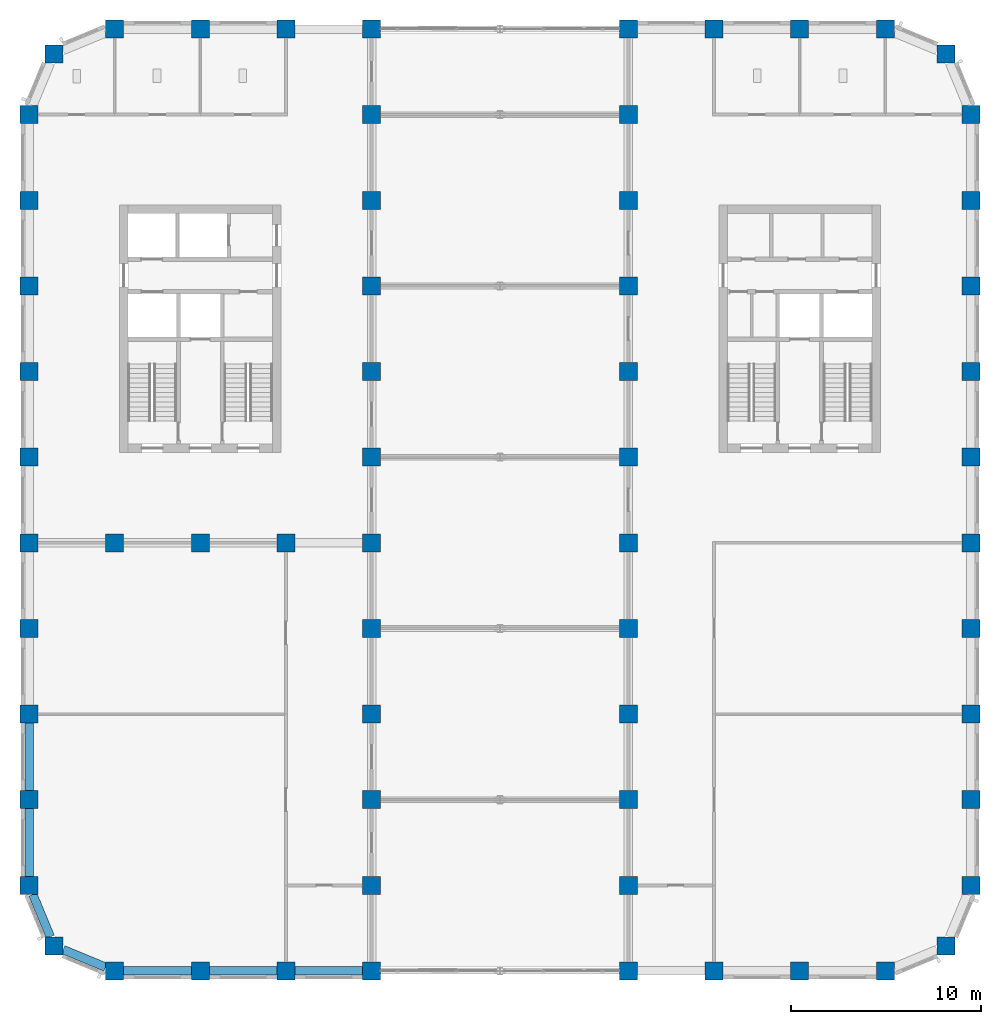
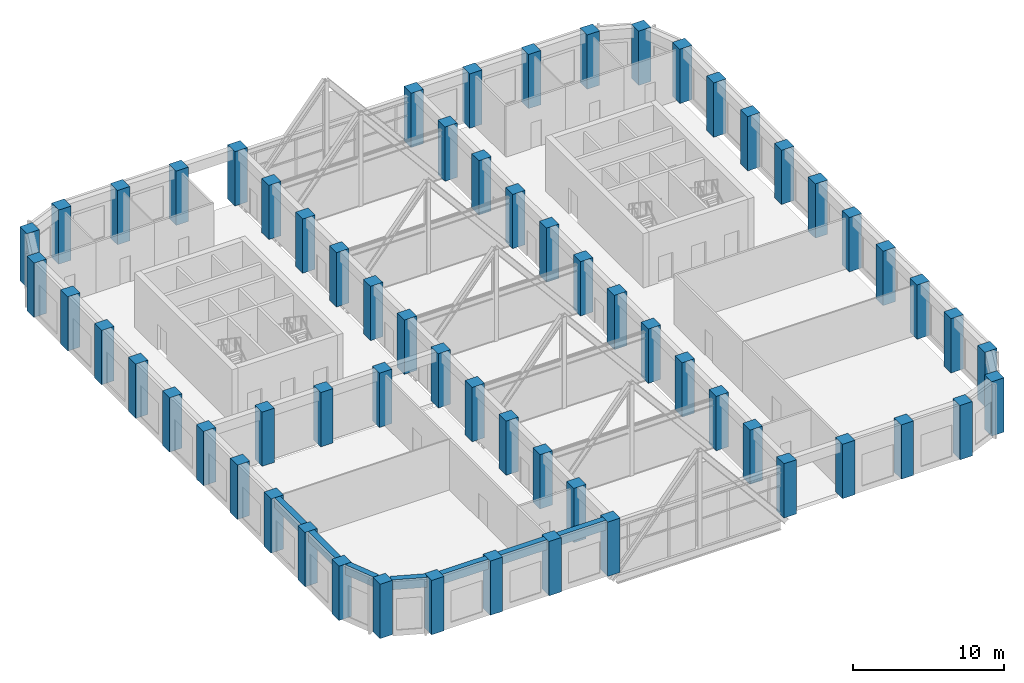
# One storey, part 1 of 15: 63 columns, 7 beams.
"""IFC4 building model written with IfcOpenShell, lengths in metres."""

from ifc_helpers import new_model, si_unit, direction, frame, origin, origin_2d, place, context, subcontext, project, spatial, rectangle, extrude, material, material_profile, profile_set, type_object, element, save


model = new_model("IFC4")

# Units and contexts
model_context = context("Model", 3, precision=1e-05, world=origin(), true_north=direction((0.0, 1.0)))
body_context = subcontext(model_context, "Body", "Model", "MODEL_VIEW")
ifc_project = project(units=[si_unit("LENGTHUNIT", "METRE"), si_unit("AREAUNIT", "SQUARE_METRE"), si_unit("VOLUMEUNIT", "CUBIC_METRE"), si_unit("PLANEANGLEUNIT", "RADIAN"), si_unit("MASSUNIT", "GRAM", prefix="KILO")], contexts=[model_context])

# Site, building, storey
site_placement = place(None, origin())
site = spatial("IfcSite", under=ifc_project, at=site_placement, CompositionType="ELEMENT")
building_placement = place(site_placement, origin())
building = spatial("IfcBuilding", under=site, at=building_placement, Name="Girih Gate Residences", CompositionType="ELEMENT")
storey_placement = place(building_placement, frame((0.0, 0.0, 168.199951171875)))
storey = spatial("IfcBuildingStorey", under=building, at=storey_placement, Name="L46", CompositionType="ELEMENT", Elevation=168.199951171875)

# Columns
ifc_material_1 = material(Name="Concrete C70/85", Category="concrete")
ifc_material_profile_1 = material_profile(ifc_material_1, rectangle(XDim=0.949951171875, YDim=0.949951171875, at=origin_2d()))
ifc_profile_set_1 = profile_set([ifc_material_profile_1], Name="Concrete C70/85")
column_type = type_object("IfcColumnType", Name="Pier RC 950x950 Concrete C70/85", PredefinedType="COLUMN", material=ifc_profile_set_1)
for number, where, z_axis, x_axis, name in (
    (1, (4.5, 0.0, 0.0), (0.0, 0.0, 1.0), (1.0, 0.0, 0.0), "Pier P2A L46"),
    (2, (9.0, 0.0, 0.0), (0.0, 0.0, 1.0), (1.0, 0.0, 0.0), "Pier P3A L46"),
    (3, (13.5, 0.0, 0.0), (0.0, 0.0, 1.0), (1.0, 0.0, 0.0), "Pier P4A L46"),
    (4, (18.0, 0.0, 0.0), (0.0, 0.0, 1.0), (1.0, 0.0, 0.0), "Pier P5A L46"),
    (5, (31.5, 0.0, 0.0), (0.0, 0.0, 1.0), (1.0, 0.0, 0.0), "Pier P8A L46"),
    (6, (36.0, 0.0, 0.0), (0.0, 0.0, 1.0), (1.0, 0.0, 0.0), "Pier P9A L46"),
    (7, (40.5, 0.0, 0.0), (0.0, 0.0, 1.0), (1.0, 0.0, 0.0), "Pier P10A L46"),
    (8, (45.0, 0.0, 0.0), (0.0, 0.0, 1.0), (1.0, 0.0, 0.0), "Pier P11A L46"),
    (9, (1.318115234375, 1.318115234375, 0.0), (0.0, 0.0, 1.0), (1.0, 0.0, 0.0), "Pier P1ANE L46"),
    (10, (48.181884765625, 1.318115234375, 0.0), (0.0, 0.0, 1.0), (1.0, 0.0, 0.0), "Pier P12ANW L46"),
    (11, (0.0, 4.5, 0.0), (0.0, 0.0, 1.0), (1.0, 0.0, 0.0), "Pier P1B L46"),
    (12, (18.0, 4.5, 0.0), (0.0, 0.0, 1.0), (1.0, 0.0, 0.0), "Pier P5B L46"),
    (13, (31.5, 4.5, 0.0), (0.0, 0.0, 1.0), (1.0, 0.0, 0.0), "Pier P8B L46"),
    (14, (49.5, 4.5, 0.0), (0.0, 0.0, 1.0), (1.0, 0.0, 0.0), "Pier P12B L46"),
    (15, (0.0, 9.0, 0.0), (0.0, 0.0, 1.0), (1.0, 0.0, 0.0), "Pier P1C L46"),
    (16, (18.0, 9.0, 0.0), (0.0, 0.0, 1.0), (1.0, 0.0, 0.0), "Pier P5C L46"),
    (17, (31.5, 9.0, 0.0), (0.0, 0.0, 1.0), (1.0, 0.0, 0.0), "Pier P8C L46"),
    (18, (49.5, 9.0, 0.0), (0.0, 0.0, 1.0), (1.0, 0.0, 0.0), "Pier P12C L46"),
    (19, (0.0, 13.5, 0.0), (0.0, 0.0, 1.0), (1.0, 0.0, 0.0), "Pier P1D L46"),
    (20, (18.0, 13.5, 0.0), (0.0, 0.0, 1.0), (1.0, 0.0, 0.0), "Pier P5D L46"),
    (21, (31.5, 13.5, 0.0), (0.0, 0.0, 1.0), (1.0, 0.0, 0.0), "Pier P8D L46"),
    (22, (49.5, 13.5, 0.0), (0.0, 0.0, 1.0), (1.0, 0.0, 0.0), "Pier P12D L46"),
    (23, (0.0, 18.0, 0.0), (0.0, 0.0, 1.0), (1.0, 0.0, 0.0), "Pier P1E L46"),
    (24, (18.0, 18.0, 0.0), (0.0, 0.0, 1.0), (1.0, 0.0, 0.0), "Pier P5E L46"),
    (25, (31.5, 18.0, 0.0), (0.0, 0.0, 1.0), (1.0, 0.0, 0.0), "Pier P8E L46"),
    (26, (49.5, 18.0, 0.0), (0.0, 0.0, 1.0), (1.0, 0.0, 0.0), "Pier P12E L46"),
    (27, (0.0, 22.5, 0.0), (0.0, 0.0, 1.0), (1.0, 0.0, 0.0), "Pier P1F L46"),
    (28, (4.5, 22.5, 0.0), (0.0, 0.0, 1.0), (1.0, 0.0, 0.0), "Pier P2F L46"),
    (29, (9.0, 22.5, 0.0), (0.0, 0.0, 1.0), (1.0, 0.0, 0.0), "Pier P3F L46"),
    (30, (13.5, 22.5, 0.0), (0.0, 0.0, 1.0), (1.0, 0.0, 0.0), "Pier P4F L46"),
    (31, (18.0, 22.5, 0.0), (0.0, 0.0, 1.0), (1.0, 0.0, 0.0), "Pier P5F L46"),
    (32, (31.5, 22.5, 0.0), (0.0, 0.0, 1.0), (1.0, 0.0, 0.0), "Pier P8F L46"),
    (33, (49.5, 22.5, 0.0), (0.0, 0.0, 1.0), (1.0, 0.0, 0.0), "Pier P12F L46"),
    (34, (0.0, 27.0, 0.0), (0.0, 0.0, 1.0), (1.0, 0.0, 0.0), "Pier P1G L46"),
    (35, (18.0, 27.0, 0.0), (0.0, 0.0, 1.0), (1.0, 0.0, 0.0), "Pier P5G L46"),
    (36, (31.5, 27.0, 0.0), (0.0, 0.0, 1.0), (1.0, 0.0, 0.0), "Pier P8G L46"),
    (37, (49.5, 27.0, 0.0), (0.0, 0.0, 1.0), (1.0, 0.0, 0.0), "Pier P12G L46"),
    (38, (0.0, 31.5, 0.0), (0.0, 0.0, 1.0), (1.0, 0.0, 0.0), "Pier P1H L46"),
    (39, (18.0, 31.5, 0.0), (0.0, 0.0, 1.0), (1.0, 0.0, 0.0), "Pier P5H L46"),
    (40, (31.5, 31.5, 0.0), (0.0, 0.0, 1.0), (1.0, 0.0, 0.0), "Pier P8H L46"),
    (41, (49.5, 31.5, 0.0), (0.0, 0.0, 1.0), (1.0, 0.0, 0.0), "Pier P12H L46"),
    (42, (0.0, 36.0, 0.0), (0.0, 0.0, 1.0), (1.0, 0.0, 0.0), "Pier P1I L46"),
    (43, (18.0, 36.0, 0.0), (0.0, 0.0, 1.0), (1.0, 0.0, 0.0), "Pier P5I L46"),
    (44, (31.5, 36.0, 0.0), (0.0, 0.0, 1.0), (1.0, 0.0, 0.0), "Pier P8I L46"),
    (45, (49.5, 36.0, 0.0), (0.0, 0.0, 1.0), (1.0, 0.0, 0.0), "Pier P12I L46"),
    (46, (0.0, 40.5, 0.0), (0.0, 0.0, 1.0), (1.0, 0.0, 0.0), "Pier P1J L46"),
    (47, (18.0, 40.5, 0.0), (0.0, 0.0, 1.0), (1.0, 0.0, 0.0), "Pier P5J L46"),
    (48, (31.5, 40.5, 0.0), (0.0, 0.0, 1.0), (1.0, 0.0, 0.0), "Pier P8J L46"),
    (49, (49.5, 40.5, 0.0), (0.0, 0.0, 1.0), (1.0, 0.0, 0.0), "Pier P12J L46"),
    (50, (0.0, 45.0, 0.0), (0.0, 0.0, 1.0), (1.0, 0.0, 0.0), "Pier P1K L46"),
    (51, (18.0, 45.0, 0.0), (0.0, 0.0, 1.0), (1.0, 0.0, 0.0), "Pier P5K L46"),
    (52, (31.5, 45.0, 0.0), (0.0, 0.0, 1.0), (1.0, 0.0, 0.0), "Pier P8K L46"),
    (53, (49.5, 45.0, 0.0), (0.0, 0.0, 1.0), (1.0, 0.0, 0.0), "Pier P12K L46"),
    (54, (1.318115234375, 48.181884765625, 0.0), (0.0, 0.0, 1.0), (1.0, 0.0, 0.0), "Pier P1LSE L46"),
    (55, (48.181884765625, 48.181884765625, 0.0), (0.0, 0.0, 1.0), (1.0, 0.0, 0.0), "Pier P12LSW L46"),
    (56, (4.5, 49.5, 0.0), (0.0, 0.0, 1.0), (1.0, 0.0, 0.0), "Pier P2L L46"),
    (57, (9.0, 49.5, 0.0), (0.0, 0.0, 1.0), (1.0, 0.0, 0.0), "Pier P3L L46"),
    (58, (13.5, 49.5, 0.0), (0.0, 0.0, 1.0), (1.0, 0.0, 0.0), "Pier P4L L46"),
    (59, (18.0, 49.5, 0.0), (0.0, 0.0, 1.0), (1.0, 0.0, 0.0), "Pier P5L L46"),
    (60, (31.5, 49.5, 0.0), (0.0, 0.0, 1.0), (1.0, 0.0, 0.0), "Pier P8L L46"),
    (61, (36.0, 49.5, 0.0), (0.0, 0.0, 1.0), (1.0, 0.0, 0.0), "Pier P9L L46"),
    (62, (40.5, 49.5, 0.0), (0.0, 0.0, 1.0), (1.0, 0.0, 0.0), "Pier P10L L46"),
    (63, (45.0, 49.5, 0.0), (0.0, 0.0, 1.0), (1.0, 0.0, 0.0), "Pier P11L L46"),
):
    element("IfcColumn", number, at=place(storey_placement, frame(where, z_axis=z_axis, x_axis=x_axis)), inside=storey, type_object=column_type, Name=name, PredefinedType="COLUMN", context=body_context, shape_type="SweptSolid", body=[
        extrude(rectangle(XDim=0.949951171875, YDim=0.949951171875, at=origin_2d()), origin(), (0.0, 0.0, 1.0), 4.400146484375),
    ])

# Beams
ifc_material_2 = material(Name="Concrete C60/75", Category="concrete")
ifc_material_profile_2 = material_profile(ifc_material_2, rectangle(XDim=0.449951171875, YDim=0.800048828125, at=origin_2d()))
ifc_profile_set_2 = profile_set([ifc_material_profile_2], Name="Concrete C60/75")
beam_type = type_object("IfcBeamType", Name="Spandrel girder RC 450x800 Concrete C60/75", PredefinedType="BEAM", material=ifc_profile_set_2)
for number, where, z_axis, x_axis, name in (
    (64, (0.19677734375, 4.02490234375, 4.0), (0.382705825988, -0.923870256451, 0.0), (0.923870256451, 0.382705825988, 0.0), "Spandrel girder SP-P1B-P1ANE L46"),
    (65, (1.79296875, 1.121337890625, 4.0), (0.923870256451, -0.382705825988, 0.0), (0.382705825988, 0.923870256451, 0.0), "Spandrel girder SP-P1ANE-P2A L46"),
):
    element("IfcBeam", number, at=place(storey_placement, frame(where, z_axis=z_axis, x_axis=x_axis)), inside=storey, type_object=beam_type, Name=name, PredefinedType="BEAM", context=body_context, shape_type="SweptSolid", body=[
        extrude(rectangle(XDim=0.449951171875, YDim=0.800048828125, at=origin_2d()), origin(), (0.0, 0.0, 1.0), 2.415771484375),
    ])
for number, where, z_axis, x_axis, name in (
    (66, (4.97509765625, 0.0, 4.0), (1.0, 0.0, 0.0), (0.0, 1.0, 0.0), "Spandrel girder SP-P2A-P3A L46"),
    (67, (9.47509765625, 0.0, 4.0), (1.0, 0.0, 0.0), (0.0, 1.0, 0.0), "Spandrel girder SP-P3A-P4A L46"),
    (68, (13.97509765625, 0.0, 4.0), (1.0, 0.0, 0.0), (0.0, 1.0, 0.0), "Spandrel girder SP-P4A-P5A L46"),
    (69, (0.0, 13.02490234375, 4.0), (0.0, -1.0, 0.0), (1.0, 0.0, 0.0), "Spandrel girder SP-P1D-P1C L46"),
    (70, (0.0, 8.52490234375, 4.0), (0.0, -1.0, 0.0), (1.0, 0.0, 0.0), "Spandrel girder SP-P1C-P1B L46"),
):
    element("IfcBeam", number, at=place(storey_placement, frame(where, z_axis=z_axis, x_axis=x_axis)), inside=storey, type_object=beam_type, Name=name, PredefinedType="BEAM", context=body_context, shape_type="SweptSolid", body=[
        extrude(rectangle(XDim=0.449951171875, YDim=0.800048828125, at=origin_2d()), origin(), (0.0, 0.0, 1.0), 3.5498046875),
    ])

save(model, "model.ifc")
